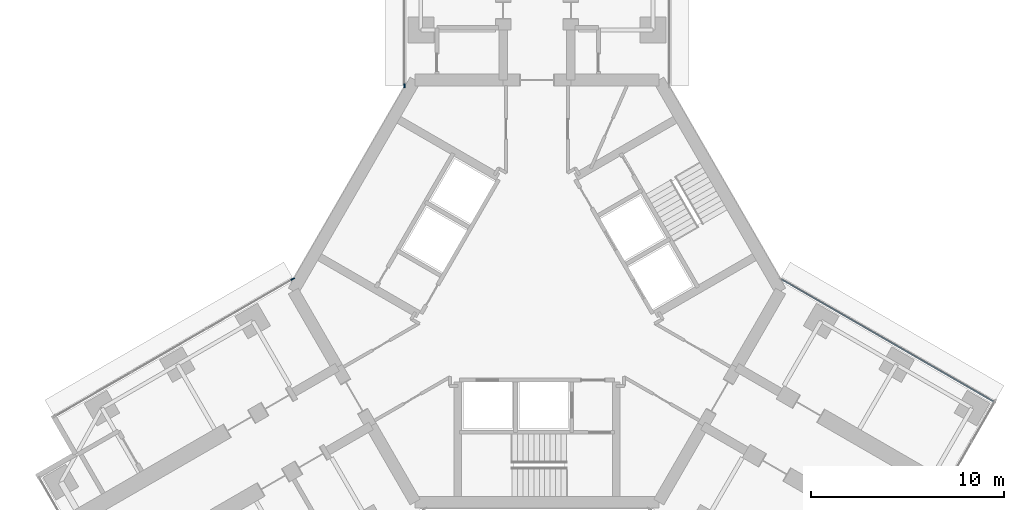
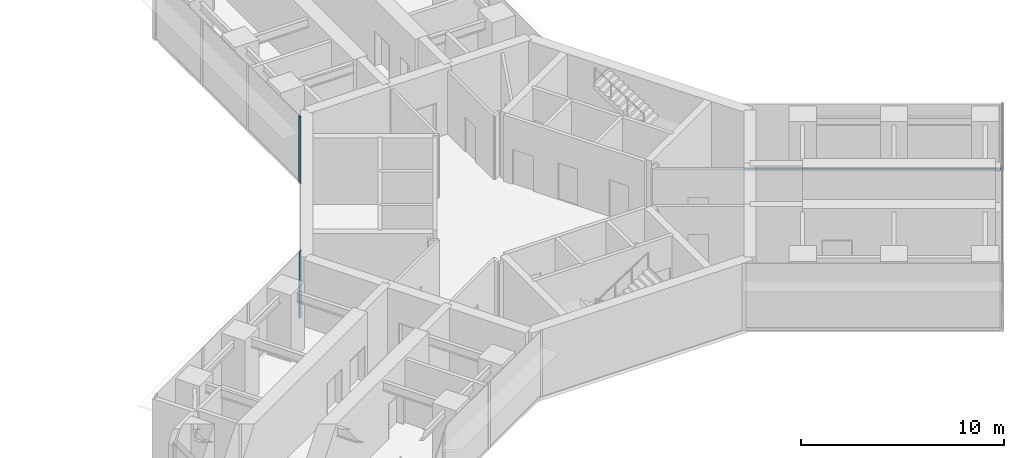
# One storey, part 9 of 21: 3 members, 3 elements without a shape of their own.
"""IFC4 building model written with IfcOpenShell, lengths in metres."""

from ifc_helpers import new_model, si_unit, direction, frame, origin, origin_2d, place, context, subcontext, project, spatial, rectangle, extrude, material, material_profile, profile_set, type_object, element, aggregate, save


model = new_model("IFC4")

# Units and contexts
model_context = context("Model", 3, precision=1e-05, world=origin(), true_north=direction((0.0, 1.0)))
body_context = subcontext(model_context, "Body", "Model", "MODEL_VIEW")
ifc_project = project(units=[si_unit("LENGTHUNIT", "METRE"), si_unit("AREAUNIT", "SQUARE_METRE"), si_unit("VOLUMEUNIT", "CUBIC_METRE"), si_unit("PLANEANGLEUNIT", "RADIAN"), si_unit("MASSUNIT", "GRAM", prefix="KILO")], contexts=[model_context])

# Site, building, storey
site_placement = place(None, origin())
site = spatial("IfcSite", under=ifc_project, at=site_placement, CompositionType="ELEMENT")
building_placement = place(site_placement, origin())
building = spatial("IfcBuilding", under=site, at=building_placement, Name="Upepo Twin Towers", CompositionType="ELEMENT")
storey_placement = place(building_placement, frame((0.0, 0.0, 101.5)))
storey = spatial("IfcBuildingStorey", under=building, at=storey_placement, Name="L24", CompositionType="ELEMENT", Elevation=101.5)

# Curtain wall, member
ifc_material_1 = material(Name="Aluminium and fritted glass", Category="aluminium")
curtain_wall_type = type_object("IfcCurtainWallType", Name="Tower curtain wall TW2, fritted glass", PredefinedType="NOTDEFINED", material=ifc_material_1)
curtain_wall_1_placement = place(storey_placement, origin())
curtain_wall_1 = element("IfcCurtainWall", 1, at=curtain_wall_1_placement, inside=storey, type_object=curtain_wall_type, Name="T2 L24 wing A flank L curtain wall", PredefinedType="NOTDEFINED")
ifc_material_2 = material(Name="Aluminium mullion", Category="aluminium")
ifc_material_profile_1 = material_profile(ifc_material_2, rectangle(XDim=0.06494140625, YDim=0.199951171875, at=origin_2d()), Name="MULLION 65x200")
ifc_profile_set_1 = profile_set([ifc_material_profile_1], Name="Aluminium mullion")
member_type_1 = type_object("IfcMemberType", Name="Mullion 65x200 TW2", PredefinedType="MULLION", material=ifc_profile_set_1)
member_1_placement = place(storey_placement, frame((51.64990234375, -7.38037109375, 0.0), z_axis=(0.0, 0.0, 1.0), x_axis=(-1.0, 0.0, 0.0)))
member_1 = element("IfcMember", 2, at=member_1_placement, type_object=member_type_1, Name="T2 L24 wing A flank L curtain wall mullion 1", PredefinedType="MULLION", context=body_context, shape_type="SweptSolid", body=[
    extrude(rectangle(XDim=0.06494140625, YDim=0.199951171875, at=origin_2d()), origin(), (0.0, 0.0, 1.0), 4.0),
])
aggregate(curtain_wall_1, [member_1])

curtain_wall_2_placement = place(storey_placement, origin())
curtain_wall_2 = element("IfcCurtainWall", 3, at=curtain_wall_2_placement, inside=storey, type_object=curtain_wall_type, Name="T2 L24 wing B flank R curtain wall", PredefinedType="NOTDEFINED")
member_2_placement = place(storey_placement, frame((45.878173828125, -17.37744140625, 0.0), z_axis=(0.0, 0.0, 1.0), x_axis=(-0.500000010308, 0.866025397833, 0.0)))
member_2 = element("IfcMember", 4, at=member_2_placement, type_object=member_type_1, Name="T2 L24 wing B flank R curtain wall mullion 4", PredefinedType="MULLION", context=body_context, shape_type="SweptSolid", body=[
    extrude(rectangle(XDim=0.06494140625, YDim=0.199951171875, at=origin_2d()), origin(), (0.0, 0.0, 1.0), 4.0),
])
aggregate(curtain_wall_2, [member_2])

curtain_wall_3_placement = place(storey_placement, origin())
curtain_wall_3 = element("IfcCurtainWall", 5, at=curtain_wall_3_placement, inside=storey, type_object=curtain_wall_type, Name="T2 L24 wing C flank L curtain wall", PredefinedType="NOTDEFINED")
ifc_material_3 = material(Name="Aluminium transom", Category="aluminium")
ifc_material_profile_2 = material_profile(ifc_material_3, rectangle(XDim=0.06494140625, YDim=0.14990234375, at=origin_2d()), Name="TRANSOM 65x150")
ifc_profile_set_2 = profile_set([ifc_material_profile_2], Name="Aluminium transom")
member_type_2 = type_object("IfcMemberType", Name="Transom 65x150 TW2", PredefinedType="USERDEFINED", material=ifc_profile_set_2)
member_3_placement = place(storey_placement, frame((71.14990234375, -17.393798828125, 0.074951171875), z_axis=(0.866027247007, -0.499996807431, 0.0), x_axis=(0.499996807431, 0.866027247007, 0.0)))
member_3 = element("IfcMember", 6, at=member_3_placement, type_object=member_type_2, Name="T2 L24 wing C flank L curtain wall transom 1", ObjectType="TRANSOM", PredefinedType="USERDEFINED", context=body_context, shape_type="SweptSolid", body=[
    extrude(rectangle(XDim=0.06494140625, YDim=0.14990234375, at=origin_2d()), origin(), (0.0, 0.0, 1.0), 12.6328125),
])
aggregate(curtain_wall_3, [member_3])

save(model, "model.ifc")
